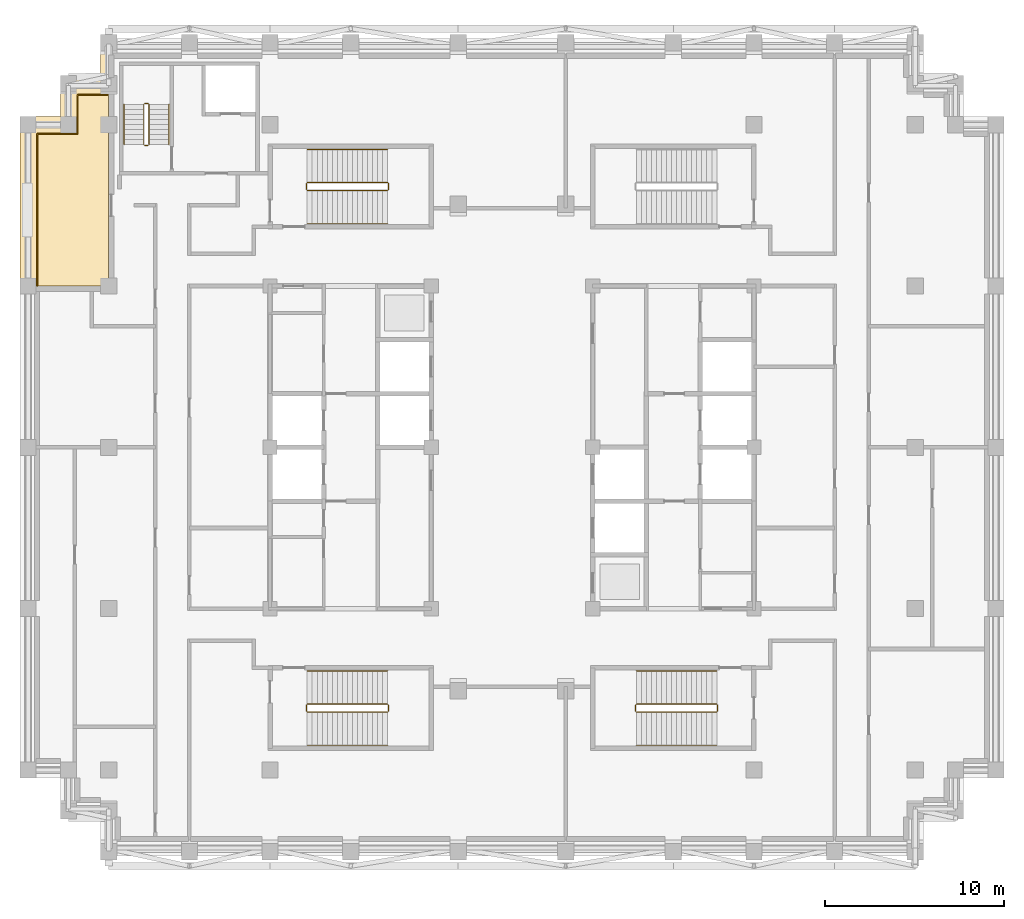
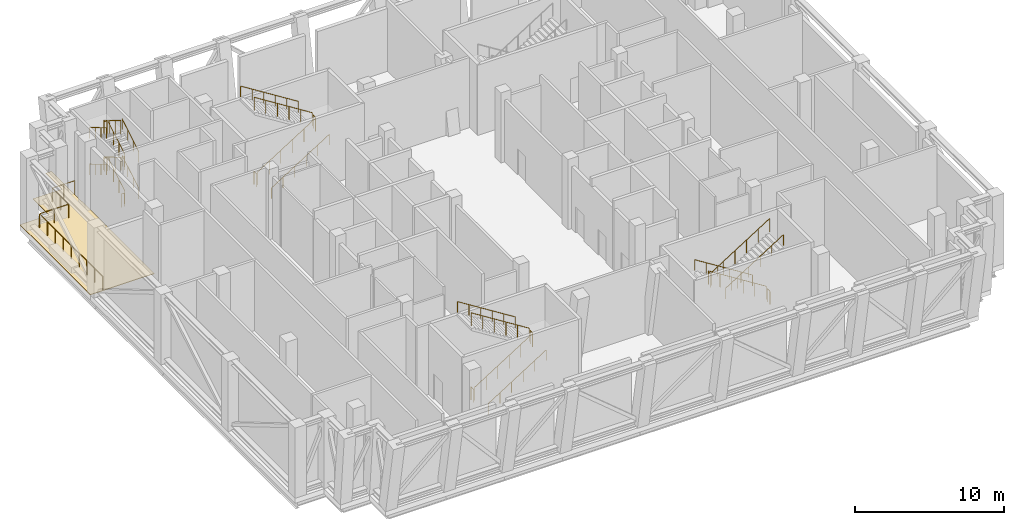
# One storey, part 9 of 11: 5 railings, 1 covering.
"""IFC4 building model written with IfcOpenShell, lengths in metres."""

from ifc_helpers import new_model, si_unit, direction, frame, origin, origin_2d, place, context, subcontext, project, spatial, polyline, circle, outline, extrude, material, layer, layer_set, type_object, element, save


model = new_model("IFC4")

# Units and contexts
model_context = context("Model", 3, precision=1e-05, world=origin(), true_north=direction((0.0, 1.0)))
body_context = subcontext(model_context, "Body", "Model", "MODEL_VIEW")
ifc_project = project(units=[si_unit("LENGTHUNIT", "METRE"), si_unit("AREAUNIT", "SQUARE_METRE"), si_unit("VOLUMEUNIT", "CUBIC_METRE"), si_unit("PLANEANGLEUNIT", "RADIAN"), si_unit("MASSUNIT", "GRAM", prefix="KILO")], contexts=[model_context])

# Site, building, storey
site_placement = place(None, origin())
site = spatial("IfcSite", under=ifc_project, at=site_placement, CompositionType="ELEMENT")
building_placement = place(site_placement, origin())
building = spatial("IfcBuilding", under=site, at=building_placement, Name="Corbelhall Arena Tower", CompositionType="ELEMENT")
storey_placement = place(building_placement, frame((0.0, 0.0, 294.0)))
storey = spatial("IfcBuildingStorey", under=building, at=storey_placement, Name="L64", CompositionType="ELEMENT", Elevation=294.0)

# Railing
ifc_material_1 = material(Name="Steel ASTM A500 Gr C", Category="steel")
railing_type_1 = type_object("IfcRailingType", Name="EV-GD1 Terrace guard 1100", PredefinedType="GUARDRAIL", material=ifc_material_1)
railing_1_placement = place(storey_placement, frame((-26.489990234375, 9.0, 0.0400390625)))
element("IfcRailing", 1, at=railing_1_placement, inside=storey, type_object=railing_type_1, Name="Guard", PredefinedType="GUARDRAIL", context=body_context, shape_type="SweptSolid", body=[
    extrude(circle(Radius=0.02392578125, at=origin_2d()), frame((0.0, 0.0, 1.1259765625), z_axis=(0.0, 1.0, 0.0), x_axis=(-1.0, 0.0, 0.0)), (0.0, 0.0, 1.0), 8.489990234375),
    extrude(circle(Radius=0.02392578125, at=origin_2d()), frame((0.0, 8.489990234375, 1.1259765625), z_axis=(1.0, 0.0, 0.0), x_axis=(0.0, 1.0, 0.0)), (0.0, 0.0, 1.0), 2.25),
    extrude(circle(Radius=0.02392578125, at=origin_2d()), frame((2.25, 8.489990234375, 1.1259765625), z_axis=(0.0, 1.0, 0.0), x_axis=(-1.0, 0.0, 0.0)), (0.0, 0.0, 1.0), 2.175048828125),
    extrude(circle(Radius=0.02392578125, at=origin_2d()), frame((2.25, 10.6650390625, 1.1259765625), z_axis=(1.0, 0.0, 0.0), x_axis=(0.0, 1.0, 0.0)), (0.0, 0.0, 1.0), 1.739990234375),
    extrude(circle(Radius=0.02099609375, at=origin_2d()), origin(), (0.0, 0.0, 1.0), 1.101806640625),
    extrude(circle(Radius=0.02099609375, at=origin_2d()), frame((0.0, 1.061279296875, 0.0)), (0.0, 0.0, 1.0), 1.101806640625),
    extrude(circle(Radius=0.02099609375, at=origin_2d()), frame((0.0, 2.12255859375, 0.0)), (0.0, 0.0, 1.0), 1.101806640625),
    extrude(circle(Radius=0.02099609375, at=origin_2d()), frame((0.0, 3.183837890625, 0.0)), (0.0, 0.0, 1.0), 1.101806640625),
    extrude(circle(Radius=0.02099609375, at=origin_2d()), frame((0.0, 4.2451171875, 0.0)), (0.0, 0.0, 1.0), 1.101806640625),
    extrude(circle(Radius=0.02099609375, at=origin_2d()), frame((0.0, 5.30615234375, 0.0)), (0.0, 0.0, 1.0), 1.101806640625),
    extrude(circle(Radius=0.02099609375, at=origin_2d()), frame((0.0, 6.367431640625, 0.0)), (0.0, 0.0, 1.0), 1.101806640625),
    extrude(circle(Radius=0.02099609375, at=origin_2d()), frame((0.0, 7.4287109375, 0.0)), (0.0, 0.0, 1.0), 1.101806640625),
    extrude(circle(Radius=0.02099609375, at=origin_2d()), frame((0.0, 8.489990234375, 0.0)), (0.0, 0.0, 1.0), 1.101806640625),
    extrude(circle(Radius=0.02099609375, at=origin_2d()), frame((1.125, 8.489990234375, 0.0)), (0.0, 0.0, 1.0), 1.101806640625),
    extrude(circle(Radius=0.02099609375, at=origin_2d()), frame((2.25, 8.489990234375, 0.0)), (0.0, 0.0, 1.0), 1.101806640625),
    extrude(circle(Radius=0.02099609375, at=origin_2d()), frame((2.25, 9.57763671875, 0.0)), (0.0, 0.0, 1.0), 1.101806640625),
    extrude(circle(Radius=0.02099609375, at=origin_2d()), frame((2.25, 10.6650390625, 0.0)), (0.0, 0.0, 1.0), 1.101806640625),
    extrude(circle(Radius=0.02099609375, at=origin_2d()), frame((3.1201171875, 10.6650390625, 0.0)), (0.0, 0.0, 1.0), 1.101806640625),
    extrude(circle(Radius=0.02099609375, at=origin_2d()), frame((3.989990234375, 10.6650390625, 0.0)), (0.0, 0.0, 1.0), 1.101806640625),
])

# Covering
ifc_material_2 = material(Name="Granite paving", Category="masonry")
ifc_layer = layer(ifc_material_2, 0.0400390625)
ifc_layer_set = layer_set([ifc_layer], Name="EV-PV1 Terrace paving 40")
covering_type = type_object("IfcCoveringType", Name="EV-PV1 Terrace paving 40", PredefinedType="FLOORING", material=ifc_layer_set)
covering_placement = place(storey_placement, origin())
element("IfcCovering", 2, at=covering_placement, inside=storey, type_object=covering_type, Name="Terrace paving", PredefinedType="FLOORING", context=body_context, shape_type="SweptSolid", body=[
    extrude(outline(polyline([(-22.5, 9.0), (-27.449951171875, 9.0), (-27.449951171875, 18.449951171875), (-25.199951171875, 18.449951171875), (-25.199951171875, 20.625), (-22.949951171875, 20.625), (-22.949951171875, 22.800048828125), (-22.5, 22.800048828125), (-22.5, 9.0)])), origin(), (0.0, 0.0, 1.0), 0.0400390625),
])

# Railings
railing_type_2 = type_object("IfcRailingType", Name="IN-GD-1100", PredefinedType="GUARDRAIL", material=ifc_material_1)
railing_2_placement = place(storey_placement, frame((-11.425048828125, 14.324951171875, 0.176513671875)))
element("IfcRailing", 3, at=railing_2_placement, inside=storey, type_object=railing_type_2, Name="L64 ST1 stair guards and handrails", PredefinedType="GUARDRAIL", context=body_context, shape_type="SweptSolid", body=[
    extrude(circle(Radius=0.02392578125, at=origin_2d()), frame((0.0, 0.0, 1.076171875), z_axis=(0.845997938375, 0.0, 0.533186166611), x_axis=(0.0, 1.0, 0.0)), (0.0, 0.0, 1.0), 5.29541015625),
    extrude(circle(Radius=0.02392578125, at=origin_2d()), frame((4.530029296875, 0.050048828125, 3.8994140625), z_axis=(0.0, 1.0, 0.0), x_axis=(-1.0, 0.0, 0.0)), (0.0, 0.0, 1.0), 0.35009765625),
    extrude(circle(Radius=0.02392578125, at=origin_2d()), frame((4.47998046875, 0.449951171875, 4.076171875), z_axis=(-0.845997938375, 0.0, 0.533186166611), x_axis=(0.0, -1.0, 0.0)), (0.0, 0.0, 1.0), 5.29541015625),
    extrude(circle(Radius=0.02392578125, at=origin_2d()), frame((-0.050048828125, 0.050048828125, 0.8994140625), z_axis=(0.0, 1.0, 0.0), x_axis=(-1.0, 0.0, 0.0)), (0.0, 0.0, 1.0), 0.35009765625),
    extrude(circle(Radius=0.02392578125, at=origin_2d()), frame((0.0, -1.849853515625, 0.8759765625), z_axis=(0.845997938375, 0.0, 0.533186166611), x_axis=(0.0, 1.0, 0.0)), (0.0, 0.0, 1.0), 5.29541015625),
    extrude(circle(Radius=0.02392578125, at=origin_2d()), frame((4.47998046875, 2.300048828125, 3.8759765625), z_axis=(-0.845997938375, 0.0, 0.533186166611), x_axis=(0.0, -1.0, 0.0)), (0.0, 0.0, 1.0), 5.29541015625),
    extrude(circle(Radius=0.02099609375, at=origin_2d()), origin(), (0.0, 0.0, 1.0), 1.052001953125),
    extrude(circle(Radius=0.02099609375, at=origin_2d()), frame((0.89599609375, 0.0, 0.564697265625)), (0.0, 0.0, 1.0), 1.052001953125),
    extrude(circle(Radius=0.02099609375, at=origin_2d()), frame((1.7919921875, 0.0, 1.12939453125)), (0.0, 0.0, 1.0), 1.052001953125),
    extrude(circle(Radius=0.02099609375, at=origin_2d()), frame((2.68798828125, 0.0, 1.694091796875)), (0.0, 0.0, 1.0), 1.052001953125),
    extrude(circle(Radius=0.02099609375, at=origin_2d()), frame((3.583984375, 0.0, 2.2587890625)), (0.0, 0.0, 1.0), 1.052001953125),
    extrude(circle(Radius=0.02099609375, at=origin_2d()), frame((4.47998046875, 0.0, 2.823486328125)), (0.0, 0.0, 1.0), 1.052001953125),
    extrude(circle(Radius=0.02099609375, at=origin_2d()), frame((4.530029296875, 0.050048828125, 2.823486328125)), (0.0, 0.0, 1.0), 1.052001953125),
    extrude(circle(Radius=0.02099609375, at=origin_2d()), frame((4.530029296875, 0.400146484375, 2.823486328125)), (0.0, 0.0, 1.0), 1.052001953125),
    extrude(circle(Radius=0.02099609375, at=origin_2d()), frame((4.47998046875, 0.449951171875, 3.0)), (0.0, 0.0, 1.0), 1.052001953125),
    extrude(circle(Radius=0.02099609375, at=origin_2d()), frame((3.583984375, 0.449951171875, 3.564697265625)), (0.0, 0.0, 1.0), 1.052001953125),
    extrude(circle(Radius=0.02099609375, at=origin_2d()), frame((2.68798828125, 0.449951171875, 4.12939453125)), (0.0, 0.0, 1.0), 1.052001953125),
    extrude(circle(Radius=0.02099609375, at=origin_2d()), frame((1.7919921875, 0.449951171875, 4.694091796875)), (0.0, 0.0, 1.0), 1.052001953125),
    extrude(circle(Radius=0.02099609375, at=origin_2d()), frame((0.89599609375, 0.449951171875, 5.2587890625)), (0.0, 0.0, 1.0), 1.052001953125),
    extrude(circle(Radius=0.02099609375, at=origin_2d()), frame((0.0, 0.449951171875, 5.823486328125)), (0.0, 0.0, 1.0), 1.052001953125),
    extrude(circle(Radius=0.02099609375, at=origin_2d()), frame((-0.050048828125, 0.050048828125, -0.176513671875)), (0.0, 0.0, 1.0), 1.052001953125),
    extrude(circle(Radius=0.02099609375, at=origin_2d()), frame((-0.050048828125, 0.400146484375, -0.176513671875)), (0.0, 0.0, 1.0), 1.052001953125),
    extrude(circle(Radius=0.02099609375, at=origin_2d()), frame((0.0, -1.849853515625, 0.0)), (0.0, 0.0, 1.0), 0.851806640625),
    extrude(circle(Radius=0.02099609375, at=origin_2d()), frame((0.89599609375, -1.849853515625, 0.564697265625)), (0.0, 0.0, 1.0), 0.851806640625),
    extrude(circle(Radius=0.02099609375, at=origin_2d()), frame((1.7919921875, -1.849853515625, 1.12939453125)), (0.0, 0.0, 1.0), 0.851806640625),
    extrude(circle(Radius=0.02099609375, at=origin_2d()), frame((2.68798828125, -1.849853515625, 1.694091796875)), (0.0, 0.0, 1.0), 0.851806640625),
    extrude(circle(Radius=0.02099609375, at=origin_2d()), frame((3.583984375, -1.849853515625, 2.2587890625)), (0.0, 0.0, 1.0), 0.851806640625),
    extrude(circle(Radius=0.02099609375, at=origin_2d()), frame((4.47998046875, -1.849853515625, 2.823486328125)), (0.0, 0.0, 1.0), 0.851806640625),
    extrude(circle(Radius=0.02099609375, at=origin_2d()), frame((4.47998046875, 2.300048828125, 3.0)), (0.0, 0.0, 1.0), 0.851806640625),
    extrude(circle(Radius=0.02099609375, at=origin_2d()), frame((3.583984375, 2.300048828125, 3.564697265625)), (0.0, 0.0, 1.0), 0.851806640625),
    extrude(circle(Radius=0.02099609375, at=origin_2d()), frame((2.68798828125, 2.300048828125, 4.12939453125)), (0.0, 0.0, 1.0), 0.851806640625),
    extrude(circle(Radius=0.02099609375, at=origin_2d()), frame((1.7919921875, 2.300048828125, 4.694091796875)), (0.0, 0.0, 1.0), 0.851806640625),
    extrude(circle(Radius=0.02099609375, at=origin_2d()), frame((0.89599609375, 2.300048828125, 5.2587890625)), (0.0, 0.0, 1.0), 0.851806640625),
    extrude(circle(Radius=0.02099609375, at=origin_2d()), frame((0.0, 2.300048828125, 5.823486328125)), (0.0, 0.0, 1.0), 0.851806640625),
])
railing_3_placement = place(storey_placement, frame((-11.425048828125, -14.77490234375, 0.176513671875)))
element("IfcRailing", 4, at=railing_3_placement, inside=storey, type_object=railing_type_2, Name="L64 ST2 stair guards and handrails", PredefinedType="GUARDRAIL", context=body_context, shape_type="SweptSolid", body=[
    extrude(circle(Radius=0.02392578125, at=origin_2d()), frame((0.0, 0.0, 1.076171875), z_axis=(0.845997938375, 0.0, 0.533186166611), x_axis=(0.0, 1.0, 0.0)), (0.0, 0.0, 1.0), 5.29541015625),
    extrude(circle(Radius=0.02392578125, at=origin_2d()), frame((4.530029296875, 0.0498046875, 3.8994140625), z_axis=(0.0, 1.0, 0.0), x_axis=(-1.0, 0.0, 0.0)), (0.0, 0.0, 1.0), 0.35009765625),
    extrude(circle(Radius=0.02392578125, at=origin_2d()), frame((4.47998046875, 0.449951171875, 4.076171875), z_axis=(-0.845997938375, 0.0, 0.533186166611), x_axis=(0.0, -1.0, 0.0)), (0.0, 0.0, 1.0), 5.29541015625),
    extrude(circle(Radius=0.02392578125, at=origin_2d()), frame((-0.050048828125, 0.0498046875, 0.8994140625), z_axis=(0.0, 1.0, 0.0), x_axis=(-1.0, 0.0, 0.0)), (0.0, 0.0, 1.0), 0.35009765625),
    extrude(circle(Radius=0.02392578125, at=origin_2d()), frame((0.0, -1.85009765625, 0.8759765625), z_axis=(0.845997938375, 0.0, 0.533186166611), x_axis=(0.0, 1.0, 0.0)), (0.0, 0.0, 1.0), 5.29541015625),
    extrude(circle(Radius=0.02392578125, at=origin_2d()), frame((4.47998046875, 2.2998046875, 3.8759765625), z_axis=(-0.845997938375, 0.0, 0.533186166611), x_axis=(0.0, -1.0, 0.0)), (0.0, 0.0, 1.0), 5.29541015625),
    extrude(circle(Radius=0.02099609375, at=origin_2d()), origin(), (0.0, 0.0, 1.0), 1.052001953125),
    extrude(circle(Radius=0.02099609375, at=origin_2d()), frame((0.89599609375, 0.0, 0.564697265625)), (0.0, 0.0, 1.0), 1.052001953125),
    extrude(circle(Radius=0.02099609375, at=origin_2d()), frame((1.7919921875, 0.0, 1.12939453125)), (0.0, 0.0, 1.0), 1.052001953125),
    extrude(circle(Radius=0.02099609375, at=origin_2d()), frame((2.68798828125, 0.0, 1.694091796875)), (0.0, 0.0, 1.0), 1.052001953125),
    extrude(circle(Radius=0.02099609375, at=origin_2d()), frame((3.583984375, 0.0, 2.2587890625)), (0.0, 0.0, 1.0), 1.052001953125),
    extrude(circle(Radius=0.02099609375, at=origin_2d()), frame((4.47998046875, 0.0, 2.823486328125)), (0.0, 0.0, 1.0), 1.052001953125),
    extrude(circle(Radius=0.02099609375, at=origin_2d()), frame((4.530029296875, 0.0498046875, 2.823486328125)), (0.0, 0.0, 1.0), 1.052001953125),
    extrude(circle(Radius=0.02099609375, at=origin_2d()), frame((4.530029296875, 0.39990234375, 2.823486328125)), (0.0, 0.0, 1.0), 1.052001953125),
    extrude(circle(Radius=0.02099609375, at=origin_2d()), frame((4.47998046875, 0.449951171875, 3.0)), (0.0, 0.0, 1.0), 1.052001953125),
    extrude(circle(Radius=0.02099609375, at=origin_2d()), frame((3.583984375, 0.449951171875, 3.564697265625)), (0.0, 0.0, 1.0), 1.052001953125),
    extrude(circle(Radius=0.02099609375, at=origin_2d()), frame((2.68798828125, 0.449951171875, 4.12939453125)), (0.0, 0.0, 1.0), 1.052001953125),
    extrude(circle(Radius=0.02099609375, at=origin_2d()), frame((1.7919921875, 0.449951171875, 4.694091796875)), (0.0, 0.0, 1.0), 1.052001953125),
    extrude(circle(Radius=0.02099609375, at=origin_2d()), frame((0.89599609375, 0.449951171875, 5.2587890625)), (0.0, 0.0, 1.0), 1.052001953125),
    extrude(circle(Radius=0.02099609375, at=origin_2d()), frame((0.0, 0.449951171875, 5.823486328125)), (0.0, 0.0, 1.0), 1.052001953125),
    extrude(circle(Radius=0.02099609375, at=origin_2d()), frame((-0.050048828125, 0.0498046875, -0.176513671875)), (0.0, 0.0, 1.0), 1.052001953125),
    extrude(circle(Radius=0.02099609375, at=origin_2d()), frame((-0.050048828125, 0.39990234375, -0.176513671875)), (0.0, 0.0, 1.0), 1.052001953125),
    extrude(circle(Radius=0.02099609375, at=origin_2d()), frame((0.0, -1.85009765625, 0.0)), (0.0, 0.0, 1.0), 0.851806640625),
    extrude(circle(Radius=0.02099609375, at=origin_2d()), frame((0.89599609375, -1.85009765625, 0.564697265625)), (0.0, 0.0, 1.0), 0.851806640625),
    extrude(circle(Radius=0.02099609375, at=origin_2d()), frame((1.7919921875, -1.85009765625, 1.12939453125)), (0.0, 0.0, 1.0), 0.851806640625),
    extrude(circle(Radius=0.02099609375, at=origin_2d()), frame((2.68798828125, -1.85009765625, 1.694091796875)), (0.0, 0.0, 1.0), 0.851806640625),
    extrude(circle(Radius=0.02099609375, at=origin_2d()), frame((3.583984375, -1.85009765625, 2.2587890625)), (0.0, 0.0, 1.0), 0.851806640625),
    extrude(circle(Radius=0.02099609375, at=origin_2d()), frame((4.47998046875, -1.85009765625, 2.823486328125)), (0.0, 0.0, 1.0), 0.851806640625),
    extrude(circle(Radius=0.02099609375, at=origin_2d()), frame((4.47998046875, 2.2998046875, 3.0)), (0.0, 0.0, 1.0), 0.851806640625),
    extrude(circle(Radius=0.02099609375, at=origin_2d()), frame((3.583984375, 2.2998046875, 3.564697265625)), (0.0, 0.0, 1.0), 0.851806640625),
    extrude(circle(Radius=0.02099609375, at=origin_2d()), frame((2.68798828125, 2.2998046875, 4.12939453125)), (0.0, 0.0, 1.0), 0.851806640625),
    extrude(circle(Radius=0.02099609375, at=origin_2d()), frame((1.7919921875, 2.2998046875, 4.694091796875)), (0.0, 0.0, 1.0), 0.851806640625),
    extrude(circle(Radius=0.02099609375, at=origin_2d()), frame((0.89599609375, 2.2998046875, 5.2587890625)), (0.0, 0.0, 1.0), 0.851806640625),
    extrude(circle(Radius=0.02099609375, at=origin_2d()), frame((0.0, 2.2998046875, 5.823486328125)), (0.0, 0.0, 1.0), 0.851806640625),
])
railing_4_placement = place(storey_placement, frame((11.425048828125, -14.324951171875, 0.176513671875)))
element("IfcRailing", 5, at=railing_4_placement, inside=storey, type_object=railing_type_2, Name="L64 ST4 stair guards and handrails", PredefinedType="GUARDRAIL", context=body_context, shape_type="SweptSolid", body=[
    extrude(circle(Radius=0.02392578125, at=origin_2d()), frame((0.0, 0.0, 1.076171875), z_axis=(-0.845997938375, 0.0, 0.533186166611), x_axis=(0.0, -1.0, 0.0)), (0.0, 0.0, 1.0), 5.29541015625),
    extrude(circle(Radius=0.02392578125, at=origin_2d()), frame((-4.530029296875, -0.050048828125, 3.8994140625), z_axis=(0.0, -1.0, 0.0), x_axis=(1.0, 0.0, 0.0)), (0.0, 0.0, 1.0), 0.35009765625),
    extrude(circle(Radius=0.02392578125, at=origin_2d()), frame((-4.47998046875, -0.449951171875, 4.076171875), z_axis=(0.845997938375, 0.0, 0.533186166611), x_axis=(0.0, 1.0, 0.0)), (0.0, 0.0, 1.0), 5.29541015625),
    extrude(circle(Radius=0.02392578125, at=origin_2d()), frame((0.050048828125, -0.050048828125, 0.8994140625), z_axis=(0.0, -1.0, 0.0), x_axis=(1.0, 0.0, 0.0)), (0.0, 0.0, 1.0), 0.35009765625),
    extrude(circle(Radius=0.02392578125, at=origin_2d()), frame((0.0, 1.849853515625, 0.8759765625), z_axis=(-0.845997938375, 0.0, 0.533186166611), x_axis=(0.0, -1.0, 0.0)), (0.0, 0.0, 1.0), 5.29541015625),
    extrude(circle(Radius=0.02392578125, at=origin_2d()), frame((-4.47998046875, -2.300048828125, 3.8759765625), z_axis=(0.845997938375, 0.0, 0.533186166611), x_axis=(0.0, 1.0, 0.0)), (0.0, 0.0, 1.0), 5.29541015625),
    extrude(circle(Radius=0.02099609375, at=origin_2d()), origin(), (0.0, 0.0, 1.0), 1.052001953125),
    extrude(circle(Radius=0.02099609375, at=origin_2d()), frame((-0.89599609375, 0.0, 0.564697265625)), (0.0, 0.0, 1.0), 1.052001953125),
    extrude(circle(Radius=0.02099609375, at=origin_2d()), frame((-1.7919921875, 0.0, 1.12939453125)), (0.0, 0.0, 1.0), 1.052001953125),
    extrude(circle(Radius=0.02099609375, at=origin_2d()), frame((-2.68798828125, 0.0, 1.694091796875)), (0.0, 0.0, 1.0), 1.052001953125),
    extrude(circle(Radius=0.02099609375, at=origin_2d()), frame((-3.583984375, 0.0, 2.2587890625)), (0.0, 0.0, 1.0), 1.052001953125),
    extrude(circle(Radius=0.02099609375, at=origin_2d()), frame((-4.47998046875, 0.0, 2.823486328125)), (0.0, 0.0, 1.0), 1.052001953125),
    extrude(circle(Radius=0.02099609375, at=origin_2d()), frame((-4.530029296875, -0.050048828125, 2.823486328125)), (0.0, 0.0, 1.0), 1.052001953125),
    extrude(circle(Radius=0.02099609375, at=origin_2d()), frame((-4.530029296875, -0.400146484375, 2.823486328125)), (0.0, 0.0, 1.0), 1.052001953125),
    extrude(circle(Radius=0.02099609375, at=origin_2d()), frame((-4.47998046875, -0.449951171875, 3.0)), (0.0, 0.0, 1.0), 1.052001953125),
    extrude(circle(Radius=0.02099609375, at=origin_2d()), frame((-3.583984375, -0.449951171875, 3.564697265625)), (0.0, 0.0, 1.0), 1.052001953125),
    extrude(circle(Radius=0.02099609375, at=origin_2d()), frame((-2.68798828125, -0.449951171875, 4.12939453125)), (0.0, 0.0, 1.0), 1.052001953125),
    extrude(circle(Radius=0.02099609375, at=origin_2d()), frame((-1.7919921875, -0.449951171875, 4.694091796875)), (0.0, 0.0, 1.0), 1.052001953125),
    extrude(circle(Radius=0.02099609375, at=origin_2d()), frame((-0.89599609375, -0.449951171875, 5.2587890625)), (0.0, 0.0, 1.0), 1.052001953125),
    extrude(circle(Radius=0.02099609375, at=origin_2d()), frame((0.0, -0.449951171875, 5.823486328125)), (0.0, 0.0, 1.0), 1.052001953125),
    extrude(circle(Radius=0.02099609375, at=origin_2d()), frame((0.050048828125, -0.050048828125, -0.176513671875)), (0.0, 0.0, 1.0), 1.052001953125),
    extrude(circle(Radius=0.02099609375, at=origin_2d()), frame((0.050048828125, -0.400146484375, -0.176513671875)), (0.0, 0.0, 1.0), 1.052001953125),
    extrude(circle(Radius=0.02099609375, at=origin_2d()), frame((0.0, 1.849853515625, 0.0)), (0.0, 0.0, 1.0), 0.851806640625),
    extrude(circle(Radius=0.02099609375, at=origin_2d()), frame((-0.89599609375, 1.849853515625, 0.564697265625)), (0.0, 0.0, 1.0), 0.851806640625),
    extrude(circle(Radius=0.02099609375, at=origin_2d()), frame((-1.7919921875, 1.849853515625, 1.12939453125)), (0.0, 0.0, 1.0), 0.851806640625),
    extrude(circle(Radius=0.02099609375, at=origin_2d()), frame((-2.68798828125, 1.849853515625, 1.694091796875)), (0.0, 0.0, 1.0), 0.851806640625),
    extrude(circle(Radius=0.02099609375, at=origin_2d()), frame((-3.583984375, 1.849853515625, 2.2587890625)), (0.0, 0.0, 1.0), 0.851806640625),
    extrude(circle(Radius=0.02099609375, at=origin_2d()), frame((-4.47998046875, 1.849853515625, 2.823486328125)), (0.0, 0.0, 1.0), 0.851806640625),
    extrude(circle(Radius=0.02099609375, at=origin_2d()), frame((-4.47998046875, -2.300048828125, 3.0)), (0.0, 0.0, 1.0), 0.851806640625),
    extrude(circle(Radius=0.02099609375, at=origin_2d()), frame((-3.583984375, -2.300048828125, 3.564697265625)), (0.0, 0.0, 1.0), 0.851806640625),
    extrude(circle(Radius=0.02099609375, at=origin_2d()), frame((-2.68798828125, -2.300048828125, 4.12939453125)), (0.0, 0.0, 1.0), 0.851806640625),
    extrude(circle(Radius=0.02099609375, at=origin_2d()), frame((-1.7919921875, -2.300048828125, 4.694091796875)), (0.0, 0.0, 1.0), 0.851806640625),
    extrude(circle(Radius=0.02099609375, at=origin_2d()), frame((-0.89599609375, -2.300048828125, 5.2587890625)), (0.0, 0.0, 1.0), 0.851806640625),
    extrude(circle(Radius=0.02099609375, at=origin_2d()), frame((0.0, -2.300048828125, 5.823486328125)), (0.0, 0.0, 1.0), 0.851806640625),
])
railing_5_placement = place(storey_placement, frame((-20.2451171875, 16.89990234375, 0.166748046875)))
element("IfcRailing", 6, at=railing_5_placement, inside=storey, type_object=railing_type_2, Name="L64 ST5 stair guards and handrails", PredefinedType="GUARDRAIL", context=body_context, shape_type="SweptSolid", body=[
    extrude(circle(Radius=0.02392578125, at=origin_2d()), frame((0.0, 0.0, 1.076171875), z_axis=(0.0, 0.859305625298, 0.511462454469), x_axis=(-1.0, 0.0, 0.0)), (0.0, 0.0, 1.0), 2.606689453125),
    extrude(circle(Radius=0.02392578125, at=origin_2d()), frame((-0.0498046875, 2.2900390625, 2.4091796875), z_axis=(-1.0, 0.0, 0.0), x_axis=(0.0, -1.0, 0.0)), (0.0, 0.0, 1.0), 0.2001953125),
    extrude(circle(Radius=0.02392578125, at=origin_2d()), frame((-0.2998046875, 2.239990234375, 2.576171875), z_axis=(0.0, -0.859305625298, 0.511462454469), x_axis=(1.0, 0.0, 0.0)), (0.0, 0.0, 1.0), 2.606689453125),
    extrude(circle(Radius=0.02392578125, at=origin_2d()), frame((-0.0498046875, -0.0498046875, 3.9091796875), z_axis=(-1.0, 0.0, 0.0), x_axis=(0.0, -1.0, 0.0)), (0.0, 0.0, 1.0), 0.2001953125),
    extrude(circle(Radius=0.02392578125, at=origin_2d()), frame((0.0, 0.0, 4.076171875), z_axis=(0.0, 0.859305625298, 0.511462454469), x_axis=(-1.0, 0.0, 0.0)), (0.0, 0.0, 1.0), 2.606689453125),
    extrude(circle(Radius=0.02392578125, at=origin_2d()), frame((-0.0498046875, 2.2900390625, 5.4091796875), z_axis=(-1.0, 0.0, 0.0), x_axis=(0.0, -1.0, 0.0)), (0.0, 0.0, 1.0), 0.2001953125),
    extrude(circle(Radius=0.02392578125, at=origin_2d()), frame((-0.2998046875, 2.239990234375, 5.576171875), z_axis=(0.0, -0.859305625298, 0.511462454469), x_axis=(1.0, 0.0, 0.0)), (0.0, 0.0, 1.0), 2.606689453125),
    extrude(circle(Radius=0.02392578125, at=origin_2d()), frame((-0.0498046875, -0.0498046875, 0.9091796875), z_axis=(-1.0, 0.0, 0.0), x_axis=(0.0, -1.0, 0.0)), (0.0, 0.0, 1.0), 0.2001953125),
    extrude(circle(Radius=0.02392578125, at=origin_2d()), frame((1.10009765625, 0.0, 0.8759765625), z_axis=(0.0, 0.859305625298, 0.511462454469), x_axis=(-1.0, 0.0, 0.0)), (0.0, 0.0, 1.0), 2.606689453125),
    extrude(circle(Radius=0.02392578125, at=origin_2d()), frame((-1.39990234375, 2.239990234375, 2.3759765625), z_axis=(0.0, -0.859305625298, 0.511462454469), x_axis=(1.0, 0.0, 0.0)), (0.0, 0.0, 1.0), 2.606689453125),
    extrude(circle(Radius=0.02392578125, at=origin_2d()), frame((1.10009765625, 0.0, 3.8759765625), z_axis=(0.0, 0.859305625298, 0.511462454469), x_axis=(-1.0, 0.0, 0.0)), (0.0, 0.0, 1.0), 2.606689453125),
    extrude(circle(Radius=0.02392578125, at=origin_2d()), frame((-1.39990234375, 2.239990234375, 5.3759765625), z_axis=(0.0, -0.859305625298, 0.511462454469), x_axis=(1.0, 0.0, 0.0)), (0.0, 0.0, 1.0), 2.606689453125),
    extrude(circle(Radius=0.02099609375, at=origin_2d()), origin(), (0.0, 0.0, 1.0), 1.052001953125),
    extrude(circle(Radius=0.02099609375, at=origin_2d()), frame((0.0, 0.74658203125, 0.4443359375)), (0.0, 0.0, 1.0), 1.052001953125),
    extrude(circle(Radius=0.02099609375, at=origin_2d()), frame((0.0, 1.493408203125, 0.888916015625)), (0.0, 0.0, 1.0), 1.052001953125),
    extrude(circle(Radius=0.02099609375, at=origin_2d()), frame((0.0, 2.239990234375, 1.333251953125)), (0.0, 0.0, 1.0), 1.052001953125),
    extrude(circle(Radius=0.02099609375, at=origin_2d()), frame((-0.0498046875, 2.2900390625, 1.333251953125)), (0.0, 0.0, 1.0), 1.052001953125),
    extrude(circle(Radius=0.02099609375, at=origin_2d()), frame((-0.25, 2.2900390625, 1.333251953125)), (0.0, 0.0, 1.0), 1.052001953125),
    extrude(circle(Radius=0.02099609375, at=origin_2d()), frame((-0.2998046875, 2.239990234375, 1.5)), (0.0, 0.0, 1.0), 1.052001953125),
    extrude(circle(Radius=0.02099609375, at=origin_2d()), frame((-0.2998046875, 1.493408203125, 1.9443359375)), (0.0, 0.0, 1.0), 1.052001953125),
    extrude(circle(Radius=0.02099609375, at=origin_2d()), frame((-0.2998046875, 0.74658203125, 2.388916015625)), (0.0, 0.0, 1.0), 1.052001953125),
    extrude(circle(Radius=0.02099609375, at=origin_2d()), frame((-0.2998046875, 0.0, 2.833251953125)), (0.0, 0.0, 1.0), 1.052001953125),
    extrude(circle(Radius=0.02099609375, at=origin_2d()), frame((-0.0498046875, -0.0498046875, 2.833251953125)), (0.0, 0.0, 1.0), 1.052001953125),
    extrude(circle(Radius=0.02099609375, at=origin_2d()), frame((-0.25, -0.0498046875, 2.833251953125)), (0.0, 0.0, 1.0), 1.052001953125),
    extrude(circle(Radius=0.02099609375, at=origin_2d()), frame((0.0, 0.0, 3.0)), (0.0, 0.0, 1.0), 1.052001953125),
    extrude(circle(Radius=0.02099609375, at=origin_2d()), frame((0.0, 0.74658203125, 3.4443359375)), (0.0, 0.0, 1.0), 1.052001953125),
    extrude(circle(Radius=0.02099609375, at=origin_2d()), frame((0.0, 1.493408203125, 3.888916015625)), (0.0, 0.0, 1.0), 1.052001953125),
    extrude(circle(Radius=0.02099609375, at=origin_2d()), frame((0.0, 2.239990234375, 4.333251953125)), (0.0, 0.0, 1.0), 1.052001953125),
    extrude(circle(Radius=0.02099609375, at=origin_2d()), frame((-0.0498046875, 2.2900390625, 4.333251953125)), (0.0, 0.0, 1.0), 1.052001953125),
    extrude(circle(Radius=0.02099609375, at=origin_2d()), frame((-0.25, 2.2900390625, 4.333251953125)), (0.0, 0.0, 1.0), 1.052001953125),
    extrude(circle(Radius=0.02099609375, at=origin_2d()), frame((-0.2998046875, 2.239990234375, 4.5)), (0.0, 0.0, 1.0), 1.052001953125),
    extrude(circle(Radius=0.02099609375, at=origin_2d()), frame((-0.2998046875, 1.493408203125, 4.9443359375)), (0.0, 0.0, 1.0), 1.052001953125),
    extrude(circle(Radius=0.02099609375, at=origin_2d()), frame((-0.2998046875, 0.74658203125, 5.388916015625)), (0.0, 0.0, 1.0), 1.052001953125),
    extrude(circle(Radius=0.02099609375, at=origin_2d()), frame((-0.2998046875, 0.0, 5.833251953125)), (0.0, 0.0, 1.0), 1.052001953125),
    extrude(circle(Radius=0.02099609375, at=origin_2d()), frame((-0.0498046875, -0.0498046875, -0.166748046875)), (0.0, 0.0, 1.0), 1.052001953125),
    extrude(circle(Radius=0.02099609375, at=origin_2d()), frame((-0.25, -0.0498046875, -0.166748046875)), (0.0, 0.0, 1.0), 1.052001953125),
    extrude(circle(Radius=0.02099609375, at=origin_2d()), frame((1.10009765625, 0.0, 0.0)), (0.0, 0.0, 1.0), 0.851806640625),
    extrude(circle(Radius=0.02099609375, at=origin_2d()), frame((1.10009765625, 0.74658203125, 0.4443359375)), (0.0, 0.0, 1.0), 0.851806640625),
    extrude(circle(Radius=0.02099609375, at=origin_2d()), frame((1.10009765625, 1.493408203125, 0.888916015625)), (0.0, 0.0, 1.0), 0.851806640625),
    extrude(circle(Radius=0.02099609375, at=origin_2d()), frame((1.10009765625, 2.239990234375, 1.333251953125)), (0.0, 0.0, 1.0), 0.851806640625),
    extrude(circle(Radius=0.02099609375, at=origin_2d()), frame((-1.39990234375, 2.239990234375, 1.5)), (0.0, 0.0, 1.0), 0.851806640625),
    extrude(circle(Radius=0.02099609375, at=origin_2d()), frame((-1.39990234375, 1.493408203125, 1.9443359375)), (0.0, 0.0, 1.0), 0.851806640625),
    extrude(circle(Radius=0.02099609375, at=origin_2d()), frame((-1.39990234375, 0.74658203125, 2.388916015625)), (0.0, 0.0, 1.0), 0.851806640625),
    extrude(circle(Radius=0.02099609375, at=origin_2d()), frame((-1.39990234375, 0.0, 2.833251953125)), (0.0, 0.0, 1.0), 0.851806640625),
    extrude(circle(Radius=0.02099609375, at=origin_2d()), frame((1.10009765625, 0.0, 3.0)), (0.0, 0.0, 1.0), 0.851806640625),
    extrude(circle(Radius=0.02099609375, at=origin_2d()), frame((1.10009765625, 0.74658203125, 3.4443359375)), (0.0, 0.0, 1.0), 0.851806640625),
    extrude(circle(Radius=0.02099609375, at=origin_2d()), frame((1.10009765625, 1.493408203125, 3.888916015625)), (0.0, 0.0, 1.0), 0.851806640625),
    extrude(circle(Radius=0.02099609375, at=origin_2d()), frame((1.10009765625, 2.239990234375, 4.333251953125)), (0.0, 0.0, 1.0), 0.851806640625),
    extrude(circle(Radius=0.02099609375, at=origin_2d()), frame((-1.39990234375, 2.239990234375, 4.5)), (0.0, 0.0, 1.0), 0.851806640625),
    extrude(circle(Radius=0.02099609375, at=origin_2d()), frame((-1.39990234375, 1.493408203125, 4.9443359375)), (0.0, 0.0, 1.0), 0.851806640625),
    extrude(circle(Radius=0.02099609375, at=origin_2d()), frame((-1.39990234375, 0.74658203125, 5.388916015625)), (0.0, 0.0, 1.0), 0.851806640625),
    extrude(circle(Radius=0.02099609375, at=origin_2d()), frame((-1.39990234375, 0.0, 5.833251953125)), (0.0, 0.0, 1.0), 0.851806640625),
])

save(model, "model.ifc")
